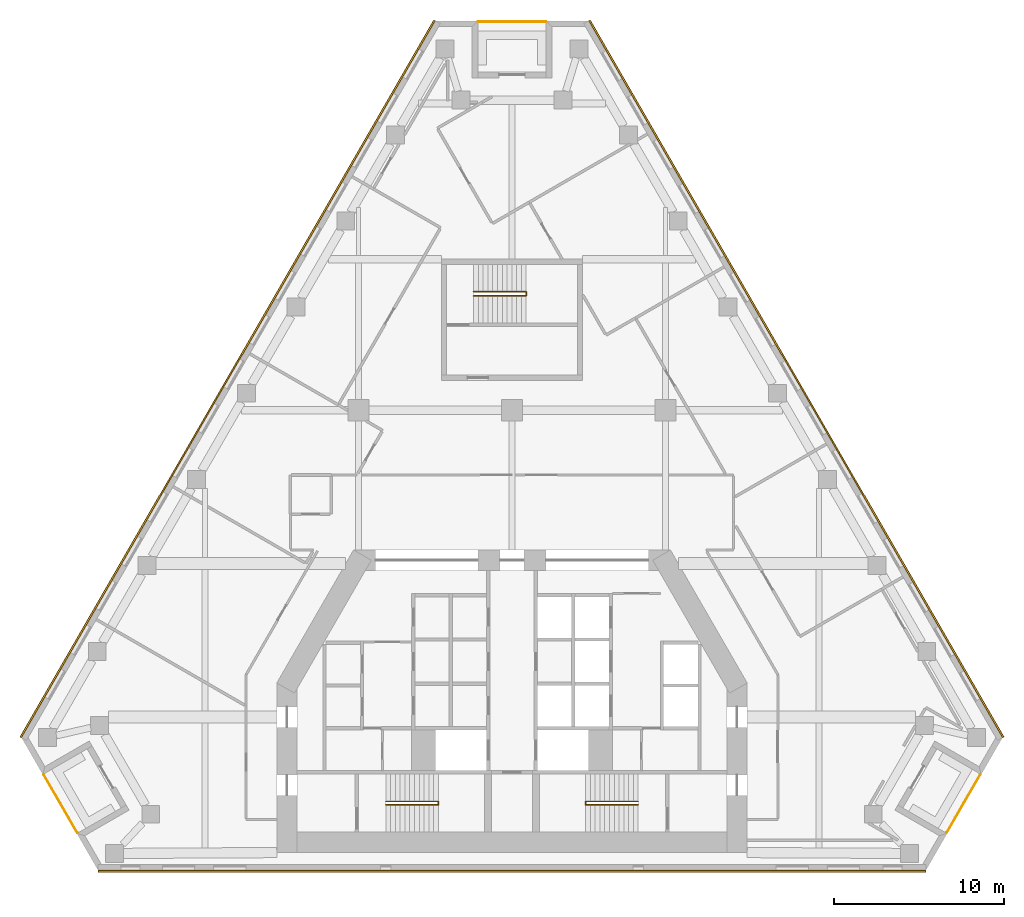
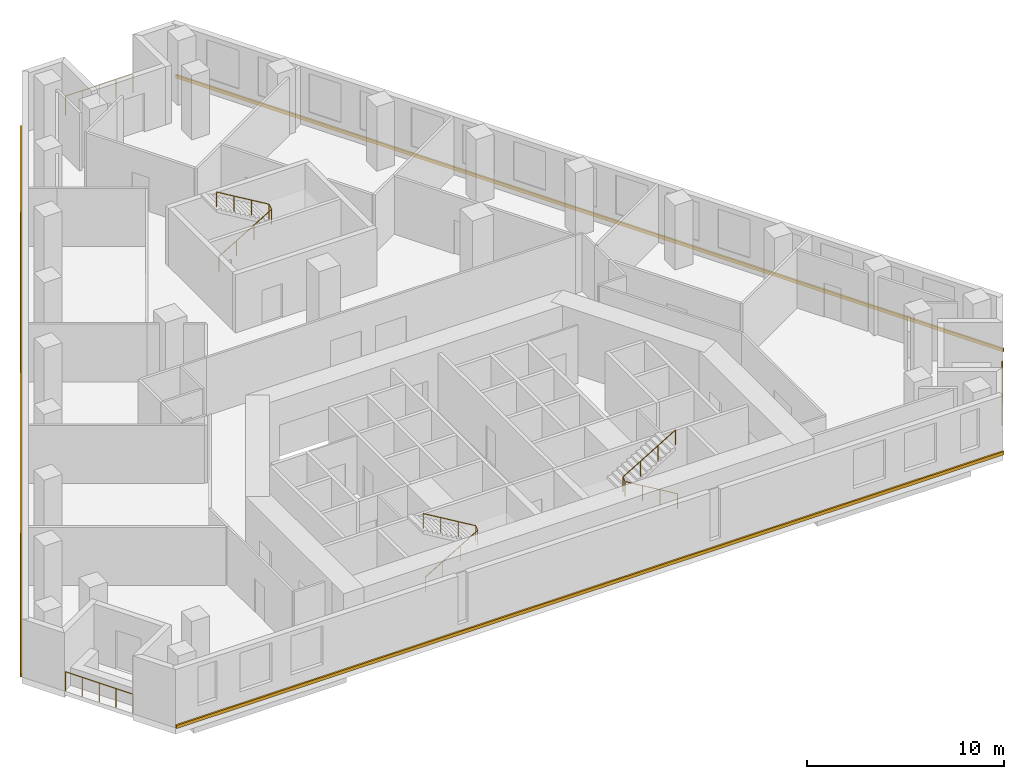
# One storey, part 8 of 8: 6 railings, 3 coverings.
"""IFC4 building model written with IfcOpenShell, lengths in metres."""

from ifc_helpers import new_model, si_unit, direction, frame, origin, origin_2d, place, context, subcontext, project, spatial, polyline, circle, outline, extrude, material, type_object, element, save


model = new_model("IFC4")

# Units and contexts
model_context = context("Model", 3, precision=1e-05, world=origin(), true_north=direction((0.0, 1.0)))
body_context = subcontext(model_context, "Body", "Model", "MODEL_VIEW")
ifc_project = project(units=[si_unit("LENGTHUNIT", "METRE"), si_unit("AREAUNIT", "SQUARE_METRE"), si_unit("VOLUMEUNIT", "CUBIC_METRE"), si_unit("PLANEANGLEUNIT", "RADIAN"), si_unit("MASSUNIT", "GRAM", prefix="KILO")], contexts=[model_context])

# Site, building, storey
site_placement = place(None, origin())
site = spatial("IfcSite", under=ifc_project, at=site_placement, CompositionType="ELEMENT")
building_placement = place(site_placement, origin())
building = spatial("IfcBuilding", under=site, at=building_placement, Name="Fogline Exchange Tower", CompositionType="ELEMENT")
storey_placement = place(building_placement, frame((0.0, 0.0, 154.89990234375)))
storey = spatial("IfcBuildingStorey", under=building, at=storey_placement, Name="L34", CompositionType="ELEMENT", Elevation=154.89990234375)

# Railings
ifc_material_1 = material(Name="Stainless steel 304", Category="steel")
railing_type_1 = type_object("IfcRailingType", Name="G1", PredefinedType="GUARDRAIL", material=ifc_material_1)
railing_1_placement = place(storey_placement, frame((-27.472412109375, 5.635986328125, 0.0)))
element("IfcRailing", 1, at=railing_1_placement, inside=storey, type_object=railing_type_1, Name="Balcony guard L34 SW", PredefinedType="GUARDRAIL", context=body_context, shape_type="SweptSolid", body=[
    extrude(circle(Radius=0.02392578125, at=origin_2d()), frame((0.0, 0.0, 1.17578125), z_axis=(0.500000102728, -0.866025344474, 0.0), x_axis=(0.866025344474, 0.500000102728, 0.0)), (0.0, 0.0, 1.0), 3.9580078125),
    extrude(circle(Radius=0.02099609375, at=origin_2d()), origin(), (0.0, 0.0, 1.0), 1.15185546875),
    extrude(circle(Radius=0.02099609375, at=origin_2d()), frame((0.49462890625, -0.85693359375, 0.0)), (0.0, 0.0, 1.0), 1.15185546875),
    extrude(circle(Radius=0.02099609375, at=origin_2d()), frame((0.989501953125, -1.7138671875, 0.0)), (0.0, 0.0, 1.0), 1.15185546875),
    extrude(circle(Radius=0.02099609375, at=origin_2d()), frame((1.484375, -2.57080078125, 0.0)), (0.0, 0.0, 1.0), 1.15185546875),
    extrude(circle(Radius=0.02099609375, at=origin_2d()), frame((1.97900390625, -3.427734375, 0.0)), (0.0, 0.0, 1.0), 1.15185546875),
])
railing_2_placement = place(storey_placement, frame((25.493408203125, 2.208251953125, 0.0)))
element("IfcRailing", 2, at=railing_2_placement, inside=storey, type_object=railing_type_1, Name="Balcony guard L34 SE", PredefinedType="GUARDRAIL", context=body_context, shape_type="SweptSolid", body=[
    extrude(circle(Radius=0.02392578125, at=origin_2d()), frame((0.0, 0.0, 1.17578125), z_axis=(0.500000102728, 0.866025344474, 0.0), x_axis=(-0.866025344474, 0.500000102728, 0.0)), (0.0, 0.0, 1.0), 3.9580078125),
    extrude(circle(Radius=0.02099609375, at=origin_2d()), origin(), (0.0, 0.0, 1.0), 1.15185546875),
    extrude(circle(Radius=0.02099609375, at=origin_2d()), frame((0.49462890625, 0.85693359375, 0.0)), (0.0, 0.0, 1.0), 1.15185546875),
    extrude(circle(Radius=0.02099609375, at=origin_2d()), frame((0.989501953125, 1.7138671875, 0.0)), (0.0, 0.0, 1.0), 1.15185546875),
    extrude(circle(Radius=0.02099609375, at=origin_2d()), frame((1.484375, 2.57080078125, 0.0)), (0.0, 0.0, 1.0), 1.15185546875),
    extrude(circle(Radius=0.02099609375, at=origin_2d()), frame((1.97900390625, 3.427734375, 0.0)), (0.0, 0.0, 1.0), 1.15185546875),
])
railing_3_placement = place(storey_placement, frame((1.97900390625, 49.791748046875, 0.0)))
element("IfcRailing", 3, at=railing_3_placement, inside=storey, type_object=railing_type_1, Name="Balcony guard L34 N", PredefinedType="GUARDRAIL", context=body_context, shape_type="SweptSolid", body=[
    extrude(circle(Radius=0.02392578125, at=origin_2d()), frame((0.0, 0.0, 1.17578125), z_axis=(-1.0, 0.0, 0.0), x_axis=(0.0, -1.0, 0.0)), (0.0, 0.0, 1.0), 3.9580078125),
    extrude(circle(Radius=0.02099609375, at=origin_2d()), origin(), (0.0, 0.0, 1.0), 1.15185546875),
    extrude(circle(Radius=0.02099609375, at=origin_2d()), frame((-0.989501953125, 0.0, 0.0)), (0.0, 0.0, 1.0), 1.15185546875),
    extrude(circle(Radius=0.02099609375, at=origin_2d()), frame((-1.97900390625, 0.0, 0.0)), (0.0, 0.0, 1.0), 1.15185546875),
    extrude(circle(Radius=0.02099609375, at=origin_2d()), frame((-2.968505859375, 0.0, 0.0)), (0.0, 0.0, 1.0), 1.15185546875),
    extrude(circle(Radius=0.02099609375, at=origin_2d()), frame((-3.9580078125, 0.0, 0.0)), (0.0, 0.0, 1.0), 1.15185546875),
])
ifc_material_2 = material(Name="Steel Q235B", Category="steel")
railing_type_2 = type_object("IfcRailingType", Name="RL-HR", PredefinedType="HANDRAIL", material=ifc_material_2)
railing_4_placement = place(storey_placement, frame((-7.39990234375, 3.85009765625, 0.166748046875)))
element("IfcRailing", 4, at=railing_4_placement, inside=storey, type_object=railing_type_2, Name="Handrail ST1", PredefinedType="HANDRAIL", context=body_context, shape_type="SweptSolid", body=[
    extrude(circle(Radius=0.02392578125, at=origin_2d()), frame((0.0, 0.0, 0.92578125), z_axis=(0.859290745958, 0.0, 0.51148745235), x_axis=(0.0, 1.0, 0.0)), (0.0, 0.0, 1.0), 3.584228515625),
    extrude(circle(Radius=0.02392578125, at=origin_2d()), frame((3.079833984375, 0.0, 2.75927734375), z_axis=(0.0, 0.767990643491, 0.640461061666), x_axis=(-1.0, 0.0, 0.0)), (0.0, 0.0, 1.0), 0.26025390625),
    extrude(circle(Radius=0.02392578125, at=origin_2d()), frame((3.079833984375, 0.199951171875, 2.92578125), z_axis=(-0.859290745958, 0.0, 0.51148745235), x_axis=(0.0, -1.0, 0.0)), (0.0, 0.0, 1.0), 3.584228515625),
    extrude(circle(Radius=0.02099609375, at=origin_2d()), origin(), (0.0, 0.0, 1.0), 0.90185546875),
    extrude(circle(Radius=0.02099609375, at=origin_2d()), frame((1.026611328125, 0.0, 0.611083984375)), (0.0, 0.0, 1.0), 0.90185546875),
    extrude(circle(Radius=0.02099609375, at=origin_2d()), frame((2.05322265625, 0.0, 1.22216796875)), (0.0, 0.0, 1.0), 0.90185546875),
    extrude(circle(Radius=0.02099609375, at=origin_2d()), frame((3.079833984375, 0.0, 1.833251953125)), (0.0, 0.0, 1.0), 0.90185546875),
    extrude(circle(Radius=0.02099609375, at=origin_2d()), frame((3.079833984375, 0.199951171875, 2.0)), (0.0, 0.0, 1.0), 0.90185546875),
    extrude(circle(Radius=0.02099609375, at=origin_2d()), frame((2.05322265625, 0.199951171875, 2.611083984375)), (0.0, 0.0, 1.0), 0.90185546875),
    extrude(circle(Radius=0.02099609375, at=origin_2d()), frame((1.026611328125, 0.199951171875, 3.22216796875)), (0.0, 0.0, 1.0), 0.90185546875),
    extrude(circle(Radius=0.02099609375, at=origin_2d()), frame((0.0, 0.199951171875, 3.833251953125)), (0.0, 0.0, 1.0), 0.90185546875),
])
railing_5_placement = place(storey_placement, frame((7.39990234375, 3.85009765625, 0.166748046875)))
element("IfcRailing", 5, at=railing_5_placement, inside=storey, type_object=railing_type_2, Name="Handrail ST2", PredefinedType="HANDRAIL", context=body_context, shape_type="SweptSolid", body=[
    extrude(circle(Radius=0.02392578125, at=origin_2d()), frame((0.0, 0.0, 0.92578125), z_axis=(-0.859290745958, 0.0, 0.51148745235), x_axis=(0.0, -1.0, 0.0)), (0.0, 0.0, 1.0), 3.584228515625),
    extrude(circle(Radius=0.02392578125, at=origin_2d()), frame((-3.079833984375, 0.0, 2.75927734375), z_axis=(0.0, 0.767990643491, 0.640461061666), x_axis=(-1.0, 0.0, 0.0)), (0.0, 0.0, 1.0), 0.26025390625),
    extrude(circle(Radius=0.02392578125, at=origin_2d()), frame((-3.079833984375, 0.199951171875, 2.92578125), z_axis=(0.859290745958, 0.0, 0.51148745235), x_axis=(0.0, 1.0, 0.0)), (0.0, 0.0, 1.0), 3.584228515625),
    extrude(circle(Radius=0.02099609375, at=origin_2d()), origin(), (0.0, 0.0, 1.0), 0.90185546875),
    extrude(circle(Radius=0.02099609375, at=origin_2d()), frame((-1.026611328125, 0.0, 0.611083984375)), (0.0, 0.0, 1.0), 0.90185546875),
    extrude(circle(Radius=0.02099609375, at=origin_2d()), frame((-2.05322265625, 0.0, 1.22216796875)), (0.0, 0.0, 1.0), 0.90185546875),
    extrude(circle(Radius=0.02099609375, at=origin_2d()), frame((-3.079833984375, 0.0, 1.833251953125)), (0.0, 0.0, 1.0), 0.90185546875),
    extrude(circle(Radius=0.02099609375, at=origin_2d()), frame((-3.079833984375, 0.199951171875, 2.0)), (0.0, 0.0, 1.0), 0.90185546875),
    extrude(circle(Radius=0.02099609375, at=origin_2d()), frame((-2.05322265625, 0.199951171875, 2.611083984375)), (0.0, 0.0, 1.0), 0.90185546875),
    extrude(circle(Radius=0.02099609375, at=origin_2d()), frame((-1.026611328125, 0.199951171875, 3.22216796875)), (0.0, 0.0, 1.0), 0.90185546875),
    extrude(circle(Radius=0.02099609375, at=origin_2d()), frame((0.0, 0.199951171875, 3.833251953125)), (0.0, 0.0, 1.0), 0.90185546875),
])
railing_6_placement = place(storey_placement, frame((-2.25, 33.70703125, 0.166748046875)))
element("IfcRailing", 6, at=railing_6_placement, inside=storey, type_object=railing_type_2, Name="Handrail ST3", PredefinedType="HANDRAIL", context=body_context, shape_type="SweptSolid", body=[
    extrude(circle(Radius=0.02392578125, at=origin_2d()), frame((0.0, 0.0, 0.92578125), z_axis=(0.859308565015, 0.0, 0.511457515432), x_axis=(0.0, 1.0, 0.0)), (0.0, 0.0, 1.0), 3.58447265625),
    extrude(circle(Radius=0.02392578125, at=origin_2d()), frame((3.080078125, 0.0, 2.75927734375), z_axis=(0.0, 0.831925284441, 0.554887665306), x_axis=(-1.0, 0.0, 0.0)), (0.0, 0.0, 1.0), 0.300537109375),
    extrude(circle(Radius=0.02392578125, at=origin_2d()), frame((3.080078125, 0.25, 2.92578125), z_axis=(-0.859308565015, 0.0, 0.511457515432), x_axis=(0.0, -1.0, 0.0)), (0.0, 0.0, 1.0), 3.58447265625),
    extrude(circle(Radius=0.02099609375, at=origin_2d()), origin(), (0.0, 0.0, 1.0), 0.90185546875),
    extrude(circle(Radius=0.02099609375, at=origin_2d()), frame((1.026611328125, 0.0, 0.611083984375)), (0.0, 0.0, 1.0), 0.90185546875),
    extrude(circle(Radius=0.02099609375, at=origin_2d()), frame((2.053466796875, 0.0, 1.22216796875)), (0.0, 0.0, 1.0), 0.90185546875),
    extrude(circle(Radius=0.02099609375, at=origin_2d()), frame((3.080078125, 0.0, 1.833251953125)), (0.0, 0.0, 1.0), 0.90185546875),
    extrude(circle(Radius=0.02099609375, at=origin_2d()), frame((3.080078125, 0.25, 2.0)), (0.0, 0.0, 1.0), 0.90185546875),
    extrude(circle(Radius=0.02099609375, at=origin_2d()), frame((2.053466796875, 0.25, 2.611083984375)), (0.0, 0.0, 1.0), 0.90185546875),
    extrude(circle(Radius=0.02099609375, at=origin_2d()), frame((1.026611328125, 0.25, 3.22216796875)), (0.0, 0.0, 1.0), 0.90185546875),
    extrude(circle(Radius=0.02099609375, at=origin_2d()), frame((0.0, 0.25, 3.833251953125)), (0.0, 0.0, 1.0), 0.90185546875),
])

# Coverings
ifc_material_3 = material(Name="Brick masonry", Category="masonry")
covering_type = type_object("IfcCoveringType", Name="SB1", PredefinedType="CLADDING", material=ifc_material_3)
covering_1_placement = place(storey_placement, origin())
element("IfcCovering", 7, at=covering_1_placement, inside=storey, type_object=covering_type, Name="Stringcourse band L34 S", PredefinedType="CLADDING", context=body_context, shape_type="SweptSolid", body=[
    extrude(outline(polyline([(-24.276123046875, 0.0), (-24.276123046875, -0.10009765625), (24.276123046875, -0.10009765625), (24.276123046875, 0.0), (-24.276123046875, 0.0)])), origin(), (0.0, 0.0, 1.0), 0.2001953125),
])
covering_2_placement = place(storey_placement, origin())
element("IfcCovering", 8, at=covering_2_placement, inside=storey, type_object=covering_type, Name="Stringcourse band L34 E", PredefinedType="CLADDING", context=body_context, shape_type="SweptSolid", body=[
    extrude(outline(polyline([(28.776123046875, 7.794189453125), (28.86279296875, 7.84423828125), (4.586669921875, 49.8916015625), (4.5, 49.841796875), (28.776123046875, 7.794189453125)])), origin(), (0.0, 0.0, 1.0), 0.2001953125),
])
covering_3_placement = place(storey_placement, origin())
element("IfcCovering", 9, at=covering_3_placement, inside=storey, type_object=covering_type, Name="Stringcourse band L34 W", PredefinedType="CLADDING", context=body_context, shape_type="SweptSolid", body=[
    extrude(outline(polyline([(-4.5, 49.841796875), (-4.586669921875, 49.8916015625), (-28.86279296875, 7.84423828125), (-28.776123046875, 7.794189453125), (-4.5, 49.841796875)])), origin(), (0.0, 0.0, 1.0), 0.2001953125),
])

save(model, "model.ifc")
